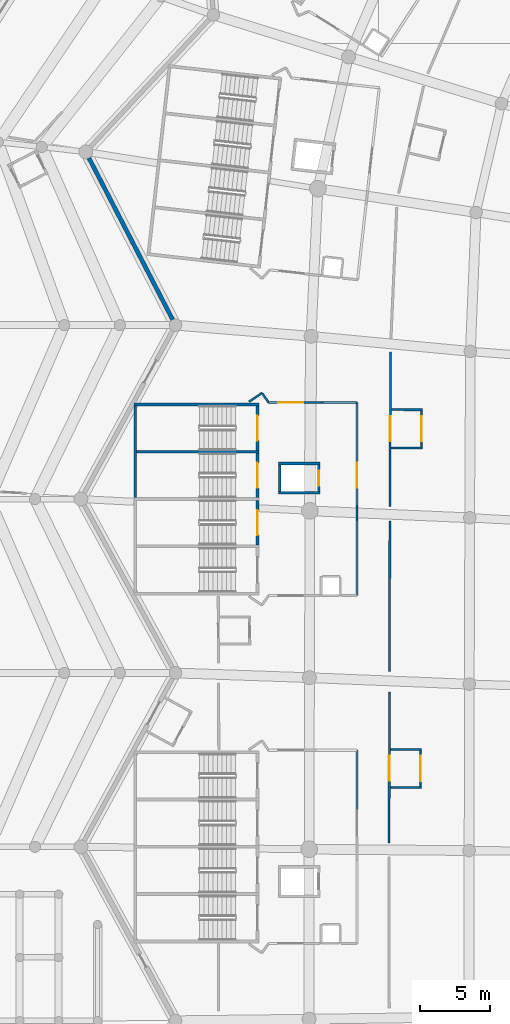
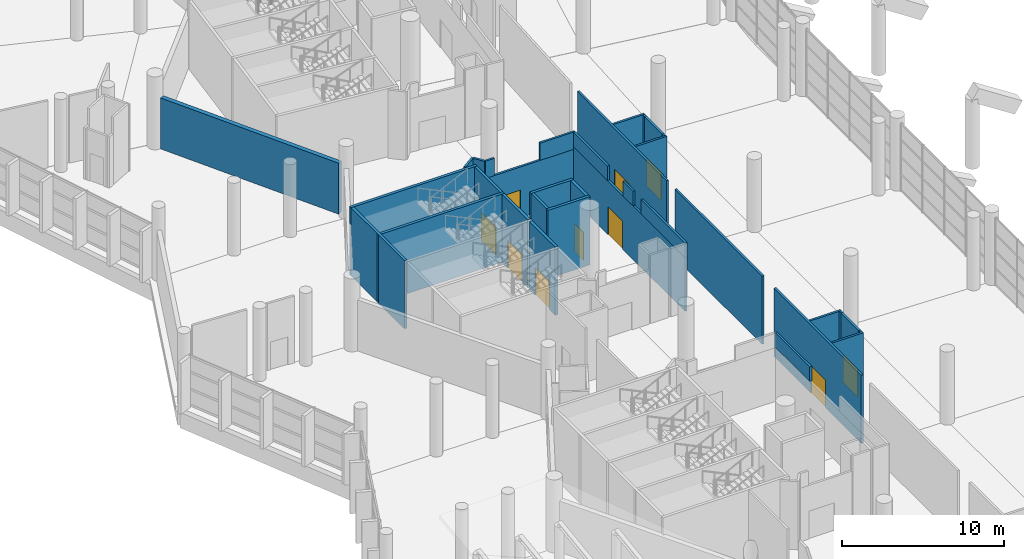
# One storey, part 181 of 271: 34 walls, 10 doors, 10 openings.
"""IFC4 building model written with IfcOpenShell, lengths in metres."""

from ifc_helpers import new_model, si_unit, direction, frame, frame_2d, origin, place, context, subcontext, project, spatial, rectangle, extrude, material, layer, layer_set, type_object, element, fill, save


model = new_model("IFC4")

# Units and contexts
model_context = context("Model", 3, precision=1e-05, world=origin(), true_north=direction((0.0, 1.0)))
body_context = subcontext(model_context, "Body", "Model", "MODEL_VIEW")
ifc_project = project(units=[si_unit("LENGTHUNIT", "METRE"), si_unit("AREAUNIT", "SQUARE_METRE"), si_unit("VOLUMEUNIT", "CUBIC_METRE"), si_unit("PLANEANGLEUNIT", "RADIAN"), si_unit("MASSUNIT", "GRAM", prefix="KILO")], contexts=[model_context])

# Site, building, storey
site_placement = place(None, origin())
site = spatial("IfcSite", under=ifc_project, at=site_placement, CompositionType="ELEMENT")
building_placement = place(site_placement, origin())
building = spatial("IfcBuilding", under=site, at=building_placement, Name="Meseta Stadium", CompositionType="ELEMENT")
storey_placement = place(building_placement, frame((0.0, 0.0, 6.5)))
storey = spatial("IfcBuildingStorey", under=building, at=storey_placement, Name="L01", CompositionType="ELEMENT", Elevation=6.5)

# Walls
ifc_material_1 = material(Name="Concrete C40/50", Category="concrete")
ifc_layer_1 = layer(ifc_material_1, 0.199951171875)
ifc_layer_set_1 = layer_set([ifc_layer_1], Name="Core divider wall 200")
wall_type_1 = type_object("IfcWallType", Name="Core divider wall 200", PredefinedType="SHEAR", material=ifc_layer_set_1)
wall_1_placement = place(storey_placement, frame((-97.60009765625, 34.64990234375, 0.0), z_axis=(0.0, 0.0, 1.0), x_axis=(1.0, 0.0, 0.0)))
element("IfcWall", 1, at=wall_1_placement, inside=storey, type_object=wall_type_1, Name="Core 16 L01 stair A divider wall", PredefinedType="SHEAR", context=body_context, shape_type="SweptSolid", body=[
    extrude(rectangle(XDim=9.0, YDim=0.199951171875, at=frame_2d((4.5, 0.0))), origin(), (0.0, 0.0, 1.0), 5.14990234375),
])
ifc_material_2 = material(Name="Concrete C40/50", Category="concrete")
ifc_layer_2 = layer(ifc_material_2, 0.199951171875)
ifc_layer_set_2 = layer_set([ifc_layer_2], Name="Core shaft wall 200")
wall_type_2 = type_object("IfcWallType", Name="Core shaft wall 200", PredefinedType="SHEAR", material=ifc_layer_set_2)
wall_2_placement = place(storey_placement, frame((-97.60009765625, 38.050048828125, 0.0), z_axis=(0.0, 0.0, 1.0), x_axis=(1.0, 0.0, 0.0)))
element("IfcWall", 2, at=wall_2_placement, inside=storey, type_object=wall_type_2, Name="Core 16 L01 stair wall A-side", PredefinedType="SHEAR", context=body_context, shape_type="SweptSolid", body=[
    extrude(rectangle(XDim=9.0, YDim=0.199951171875, at=frame_2d((4.5, 0.0))), origin(), (0.0, 0.0, 1.0), 5.14990234375),
])
wall_3_placement = place(storey_placement, frame((-97.5, 37.949951171875, 0.0), z_axis=(0.0, 0.0, 1.0), x_axis=(0.0, -1.0, 0.0)))
element("IfcWall", 3, at=wall_3_placement, inside=storey, type_object=wall_type_2, Name="Core 16 L01 stair A outer end wall", PredefinedType="SHEAR", context=body_context, shape_type="SweptSolid", body=[
    extrude(rectangle(XDim=6.599853515625, YDim=0.199951171875, at=frame_2d((3.2998046875, 0.0))), origin(), (0.0, 0.0, 1.0), 5.14990234375),
])

# Wall, opening, door
wall_4_placement = place(storey_placement, frame((-88.699951171875, 37.949951171875, 0.0), z_axis=(0.0, 0.0, 1.0), x_axis=(0.0, -1.0, 0.0)))
wall_4 = element("IfcWall", 4, at=wall_4_placement, inside=storey, type_object=wall_type_2, Name="Core 16 L01 stair A1 inner end wall", PredefinedType="SHEAR", context=body_context, shape_type="SweptSolid", body=[
    extrude(rectangle(XDim=3.199951171875, YDim=0.199951171875, at=frame_2d((1.60009765625, 0.0))), origin(), (0.0, 0.0, 1.0), 5.14990234375),
])
opening_1_placement = place(wall_4_placement, frame((0.699951171875, 0.0, 0.0)))
opening_1 = element("IfcOpeningElement", 5, at=opening_1_placement, cuts=wall_4, Name="Opening D219", PredefinedType="OPENING", context=body_context, shape_type="SweptSolid", body=[
    extrude(rectangle(XDim=1.800048828125, YDim=2.10009765625, at=frame_2d((0.89990234375, 1.050048828125))), frame((0.0, 0.10986328125, 0.0), z_axis=(0.0, -1.0, 0.0), x_axis=(1.0, 0.0, 0.0)), (0.0, 0.0, 1.0), 0.219970703125),
])
ifc_material_3 = material(Name="Steel", Category="steel")
door_type_1 = type_object("IfcDoorType", Name="Stair door 1800x2100", OperationType="DOUBLE_DOOR_SINGLE_SWING", PredefinedType="DOOR", material=ifc_material_3)
door_1_placement = place(opening_1_placement, origin())
door_1 = element("IfcDoor", 6, at=door_1_placement, inside=storey, type_object=door_type_1, Name="Stair A1 door 16 L01", OperationType="DOUBLE_DOOR_SINGLE_SWING", OverallHeight=2.10009765625, OverallWidth=1.800048828125, PredefinedType="DOOR", context=body_context, shape_type="SweptSolid", body=[
    extrude(rectangle(XDim=1.800048828125, YDim=2.10009765625, at=frame_2d((0.89990234375, 1.050048828125))), frame((0.0, 0.02490234375, 0.0), z_axis=(0.0, -1.0, 0.0), x_axis=(1.0, 0.0, 0.0)), (0.0, 0.0, 1.0), 0.050048828125),
])
fill(opening_1, door_1)

wall_5_placement = place(storey_placement, frame((-88.699951171875, 34.550048828125, 0.0), z_axis=(0.0, 0.0, 1.0), x_axis=(0.0, -1.0, 0.0)))
wall_5 = element("IfcWall", 7, at=wall_5_placement, inside=storey, type_object=wall_type_2, Name="Core 16 L01 stair A2 inner end wall", PredefinedType="SHEAR", context=body_context, shape_type="SweptSolid", body=[
    extrude(rectangle(XDim=3.199951171875, YDim=0.199951171875, at=frame_2d((1.60009765625, 0.0))), origin(), (0.0, 0.0, 1.0), 5.14990234375),
])
opening_2_placement = place(wall_5_placement, frame((0.699951171875, 0.0, 0.0)))
opening_2 = element("IfcOpeningElement", 8, at=opening_2_placement, cuts=wall_5, Name="Opening D220", PredefinedType="OPENING", context=body_context, shape_type="SweptSolid", body=[
    extrude(rectangle(XDim=1.800048828125, YDim=2.10009765625, at=frame_2d((0.89990234375, 1.050048828125))), frame((0.0, 0.10986328125, 0.0), z_axis=(0.0, -1.0, 0.0), x_axis=(1.0, 0.0, 0.0)), (0.0, 0.0, 1.0), 0.219970703125),
])
door_2_placement = place(opening_2_placement, origin())
door_2 = element("IfcDoor", 9, at=door_2_placement, inside=storey, type_object=door_type_1, Name="Stair A2 door 16 L01", OperationType="DOUBLE_DOOR_SINGLE_SWING", OverallHeight=2.10009765625, OverallWidth=1.800048828125, PredefinedType="DOOR", context=body_context, shape_type="SweptSolid", body=[
    extrude(rectangle(XDim=1.800048828125, YDim=2.10009765625, at=frame_2d((0.89990234375, 1.050048828125))), frame((0.0, 0.02490234375, 0.0), z_axis=(0.0, -1.0, 0.0), x_axis=(1.0, 0.0, 0.0)), (0.0, 0.0, 1.0), 0.050048828125),
])
fill(opening_2, door_2)

wall_6_placement = place(storey_placement, frame((-88.699951171875, 31.14990234375, 0.0), z_axis=(0.0, 0.0, 1.0), x_axis=(0.0, -1.0, 0.0)))
wall_6 = element("IfcWall", 10, at=wall_6_placement, inside=storey, type_object=wall_type_2, Name="Core 16 L01 stair B1 inner end wall", PredefinedType="SHEAR", context=body_context, shape_type="SweptSolid", body=[
    extrude(rectangle(XDim=3.199951171875, YDim=0.199951171875, at=frame_2d((1.60009765625, 0.0))), origin(), (0.0, 0.0, 1.0), 5.14990234375),
])
opening_3_placement = place(wall_6_placement, frame((0.699951171875, 0.0, 0.0)))
opening_3 = element("IfcOpeningElement", 11, at=opening_3_placement, cuts=wall_6, Name="Opening D221", PredefinedType="OPENING", context=body_context, shape_type="SweptSolid", body=[
    extrude(rectangle(XDim=1.800048828125, YDim=2.10009765625, at=frame_2d((0.89990234375, 1.050048828125))), frame((0.0, 0.10986328125, 0.0), z_axis=(0.0, -1.0, 0.0), x_axis=(1.0, 0.0, 0.0)), (0.0, 0.0, 1.0), 0.219970703125),
])
door_3_placement = place(opening_3_placement, origin())
door_3 = element("IfcDoor", 12, at=door_3_placement, inside=storey, type_object=door_type_1, Name="Stair B1 door 16 L01", OperationType="DOUBLE_DOOR_SINGLE_SWING", OverallHeight=2.10009765625, OverallWidth=1.800048828125, PredefinedType="DOOR", context=body_context, shape_type="SweptSolid", body=[
    extrude(rectangle(XDim=1.800048828125, YDim=2.10009765625, at=frame_2d((0.89990234375, 1.050048828125))), frame((0.0, 0.02490234375, 0.0), z_axis=(0.0, -1.0, 0.0), x_axis=(1.0, 0.0, 0.0)), (0.0, 0.0, 1.0), 0.050048828125),
])
fill(opening_3, door_3)

# Walls
for number, where, z_axis, x_axis, name in (
    (13, (-87.199951171875, 33.800048828125, 0.0), (0.0, 0.0, 1.0), (1.0, 0.0, 0.0), "Core 16 L01 lift shaft wall left"),
    (14, (-87.199951171875, 31.699951171875, 0.0), (0.0, 0.0, 1.0), (1.0, 0.0, 0.0), "Core 16 L01 lift shaft wall right"),
):
    element("IfcWall", number, at=place(storey_placement, frame(where, z_axis=z_axis, x_axis=x_axis)), inside=storey, type_object=wall_type_2, Name=name, PredefinedType="SHEAR", context=body_context, shape_type="SweptSolid", body=[
        extrude(rectangle(XDim=3.0, YDim=0.199951171875, at=frame_2d((1.5, 0.0))), origin(), (0.0, 0.0, 1.0), 5.14990234375),
    ])
wall_7_placement = place(storey_placement, frame((-87.10009765625, 33.699951171875, 0.0), z_axis=(0.0, 0.0, 1.0), x_axis=(0.0, -1.0, 0.0)))
element("IfcWall", 15, at=wall_7_placement, inside=storey, type_object=wall_type_2, Name="Core 16 L01 lift shaft back wall", PredefinedType="SHEAR", context=body_context, shape_type="SweptSolid", body=[
    extrude(rectangle(XDim=1.89990234375, YDim=0.199951171875, at=frame_2d((0.949951171875, 0.0))), origin(), (0.0, 0.0, 1.0), 5.14990234375),
])

# Wall, opening, door
wall_8_placement = place(storey_placement, frame((-84.300048828125, 33.699951171875, 0.0), z_axis=(0.0, 0.0, 1.0), x_axis=(0.0, -1.0, 0.0)))
wall_8 = element("IfcWall", 16, at=wall_8_placement, inside=storey, type_object=wall_type_2, Name="Core 16 L01 lift shaft front wall", PredefinedType="SHEAR", context=body_context, shape_type="SweptSolid", body=[
    extrude(rectangle(XDim=1.89990234375, YDim=0.199951171875, at=frame_2d((0.949951171875, 0.0))), origin(), (0.0, 0.0, 1.0), 5.14990234375),
])
opening_4_placement = place(wall_8_placement, frame((0.39990234375, 0.0, 0.0)))
opening_4 = element("IfcOpeningElement", 17, at=opening_4_placement, cuts=wall_8, Name="Opening LD87", PredefinedType="OPENING", context=body_context, shape_type="SweptSolid", body=[
    extrude(rectangle(XDim=1.10009765625, YDim=2.10009765625, at=frame_2d((0.550048828125, 1.050048828125))), frame((0.0, 0.10986328125, 0.0), z_axis=(0.0, -1.0, 0.0), x_axis=(1.0, 0.0, 0.0)), (0.0, 0.0, 1.0), 0.219970703125),
])
ifc_material_4 = material(Name="Steel", Category="steel")
door_type_2 = type_object("IfcDoorType", Name="Lift landing door 1100x2100", OperationType="SLIDING_TO_LEFT", PredefinedType="DOOR", material=ifc_material_4)
door_4_placement = place(opening_4_placement, origin())
door_4 = element("IfcDoor", 18, at=door_4_placement, inside=storey, type_object=door_type_2, Name="Lift landing door LD87", OperationType="SLIDING_TO_LEFT", OverallHeight=2.10009765625, OverallWidth=1.10009765625, PredefinedType="DOOR", context=body_context, shape_type="SweptSolid", body=[
    extrude(rectangle(XDim=1.10009765625, YDim=2.10009765625, at=frame_2d((0.550048828125, 1.050048828125))), frame((0.0, 0.02490234375, 0.0), z_axis=(0.0, -1.0, 0.0), x_axis=(1.0, 0.0, 0.0)), (0.0, 0.0, 1.0), 0.050048828125),
])
fill(opening_4, door_4)

ifc_material_5 = material(Name="Masonry blockwork", Category="masonry")
ifc_layer_3 = layer(ifc_material_5, 0.14990234375)
ifc_layer_set_3 = layer_set([ifc_layer_3], Name="Partition 150")
wall_type_3 = type_object("IfcWallType", Name="Partition 150", PredefinedType="PARTITIONING", material=ifc_layer_set_3)
wall_9_placement = place(storey_placement, frame((-79.1904296875, 30.7021484375, 0.0), z_axis=(0.0, 0.0, 1.0), x_axis=(0.004546006523, 0.999989666859, 0.0)))
wall_9 = element("IfcWall", 19, at=wall_9_placement, inside=storey, type_object=wall_type_3, Name="Partition L01 L01-cell14-0-0", PredefinedType="PARTITIONING", context=body_context, shape_type="SweptSolid", body=[
    extrude(rectangle(XDim=11.11669921875, YDim=0.14990234375, at=frame_2d((5.558349609375, 0.0))), origin(), (0.0, 0.0, 1.0), 5.14990234375),
])
opening_5_placement = place(wall_9_placement, frame((4.699951171875, 0.0, 0.0)))
opening_5 = element("IfcOpeningElement", 20, at=opening_5_placement, cuts=wall_9, Name="Opening D659", PredefinedType="OPENING", context=body_context, shape_type="SweptSolid", body=[
    extrude(rectangle(XDim=1.800048828125, YDim=2.10009765625, at=frame_2d((0.89990234375, 1.050048828125))), frame((0.0, 0.0849609375, 0.0), z_axis=(0.0, -1.0, 0.0), x_axis=(1.0, 0.0, 0.0)), (0.0, 0.0, 1.0), 0.169921875),
])
ifc_material_6 = material(Name="Steel", Category="steel")
door_type_3 = type_object("IfcDoorType", Name="Fire double door 1800x2100 EI2 60", OperationType="DOUBLE_DOOR_SINGLE_SWING", PredefinedType="DOOR", material=ifc_material_6)
door_5_placement = place(opening_5_placement, origin())
door_5 = element("IfcDoor", 21, at=door_5_placement, inside=storey, type_object=door_type_3, Name="Door D659", OperationType="DOUBLE_DOOR_SINGLE_SWING", OverallHeight=2.10009765625, OverallWidth=1.800048828125, PredefinedType="DOOR", context=body_context, shape_type="SweptSolid", body=[
    extrude(rectangle(XDim=1.800048828125, YDim=2.10009765625, at=frame_2d((0.89990234375, 1.050048828125))), frame((0.0, 0.02490234375, 0.0), z_axis=(0.0, -1.0, 0.0), x_axis=(1.0, 0.0, 0.0)), (0.0, 0.0, 1.0), 0.050048828125),
])
fill(opening_5, door_5)

wall_10_placement = place(storey_placement, frame((-79.24658203125, 6.53662109375, 0.0), z_axis=(0.0, 0.0, 1.0), x_axis=(0.002276512155, 0.999997408743, 0.0)))
wall_10 = element("IfcWall", 22, at=wall_10_placement, inside=storey, type_object=wall_type_3, Name="Partition L01 L01-cell15-0-0", PredefinedType="PARTITIONING", context=body_context, shape_type="SweptSolid", body=[
    extrude(rectangle(XDim=10.83154296875, YDim=0.14990234375, at=frame_2d((5.415771484375, 0.0))), origin(), (0.0, 0.0, 1.0), 5.14990234375),
])
opening_6_placement = place(wall_10_placement, frame((4.449951171875, 0.0, 0.0)))
opening_6 = element("IfcOpeningElement", 23, at=opening_6_placement, cuts=wall_10, Name="Opening D660", PredefinedType="OPENING", context=body_context, shape_type="SweptSolid", body=[
    extrude(rectangle(XDim=1.800048828125, YDim=2.10009765625, at=frame_2d((0.89990234375, 1.050048828125))), frame((0.0, 0.0849609375, 0.0), z_axis=(0.0, -1.0, 0.0), x_axis=(1.0, 0.0, 0.0)), (0.0, 0.0, 1.0), 0.169921875),
])
door_6_placement = place(opening_6_placement, origin())
door_6 = element("IfcDoor", 24, at=door_6_placement, inside=storey, type_object=door_type_3, Name="Door D660", OperationType="DOUBLE_DOOR_SINGLE_SWING", OverallHeight=2.10009765625, OverallWidth=1.800048828125, PredefinedType="DOOR", context=body_context, shape_type="SweptSolid", body=[
    extrude(rectangle(XDim=1.800048828125, YDim=2.10009765625, at=frame_2d((0.89990234375, 1.050048828125))), frame((0.0, 0.02490234375, 0.0), z_axis=(0.0, -1.0, 0.0), x_axis=(1.0, 0.0, 0.0)), (0.0, 0.0, 1.0), 0.050048828125),
])
fill(opening_6, door_6)

# Wall
wall_11_placement = place(storey_placement, frame((-79.218505859375, 18.84521484375, 0.0), z_axis=(0.0, 0.0, 1.0), x_axis=(0.002254023351, 0.999997459686, 0.0)))
element("IfcWall", 25, at=wall_11_placement, inside=storey, type_object=wall_type_3, Name="Partition L01 L01-cell15-0-0", PredefinedType="PARTITIONING", context=body_context, shape_type="SweptSolid", body=[
    extrude(rectangle(XDim=10.831298828125, YDim=0.14990234375, at=frame_2d((5.41552734375, 0.0))), origin(), (0.0, 0.0, 1.0), 5.14990234375),
])

# Wall, opening, door
wall_12_placement = place(storey_placement, frame((-81.554931640625, 24.304931640625, 0.0), z_axis=(0.0, 0.0, 1.0), x_axis=(0.0, 1.0, 0.0)))
wall_12 = element("IfcWall", 26, at=wall_12_placement, inside=storey, type_object=wall_type_3, Name="Stair vestibule wall L01 core 16", PredefinedType="PARTITIONING", context=body_context, shape_type="SweptSolid", body=[
    extrude(rectangle(XDim=13.89013671875, YDim=0.14990234375, at=frame_2d((6.945068359375, 0.0))), origin(), (0.0, 0.0, 1.0), 4.050048828125),
])
opening_7_placement = place(wall_12_placement, frame((7.75, 0.0, 0.0)))
opening_7 = element("IfcOpeningElement", 27, at=opening_7_placement, cuts=wall_12, Name="Opening D782", PredefinedType="OPENING", context=body_context, shape_type="SweptSolid", body=[
    extrude(rectangle(XDim=1.800048828125, YDim=2.10009765625, at=frame_2d((0.89990234375, 1.050048828125))), frame((0.0, 0.0849609375, 0.0), z_axis=(0.0, -1.0, 0.0), x_axis=(1.0, 0.0, 0.0)), (0.0, 0.0, 1.0), 0.169921875),
])
door_7_placement = place(opening_7_placement, origin())
door_7 = element("IfcDoor", 28, at=door_7_placement, inside=storey, type_object=door_type_3, Name="Stair vestibule door L01 core 16", OperationType="DOUBLE_DOOR_SINGLE_SWING", OverallHeight=2.10009765625, OverallWidth=1.800048828125, PredefinedType="DOOR", context=body_context, shape_type="SweptSolid", body=[
    extrude(rectangle(XDim=1.800048828125, YDim=2.10009765625, at=frame_2d((0.89990234375, 1.050048828125))), frame((0.0, 0.02490234375, 0.0), z_axis=(0.0, -1.0, 0.0), x_axis=(1.0, 0.0, 0.0)), (0.0, 0.0, 1.0), 0.050048828125),
])
fill(opening_7, door_7)

# Walls
wall_13_placement = place(storey_placement, frame((-81.554931640625, 24.304931640625, 4.050048828125), z_axis=(0.0, 0.0, 1.0), x_axis=(0.0, 1.0, 0.0)))
element("IfcWall", 29, at=wall_13_placement, inside=storey, type_object=wall_type_3, Name="Stair vestibule wall L01 core 16", PredefinedType="PARTITIONING", context=body_context, shape_type="SweptSolid", body=[
    extrude(rectangle(XDim=5.456787109375, YDim=0.14990234375, at=frame_2d((2.728515625, 0.0))), origin(), (0.0, 0.0, 1.0), 1.099853515625),
])
wall_14_placement = place(storey_placement, frame((-81.554931640625, 30.75390625, 4.050048828125), z_axis=(0.0, 0.0, 1.0), x_axis=(0.0, 1.0, 0.0)))
element("IfcWall", 30, at=wall_14_placement, inside=storey, type_object=wall_type_3, Name="Stair vestibule wall L01 core 16", PredefinedType="PARTITIONING", context=body_context, shape_type="SweptSolid", body=[
    extrude(rectangle(XDim=1.2509765625, YDim=0.14990234375, at=frame_2d((0.62548828125, 0.0))), origin(), (0.0, 0.0, 1.0), 1.099853515625),
])

# Wall, opening, door
wall_15_placement = place(storey_placement, frame((-81.554931640625, 38.195068359375, 0.0), z_axis=(0.0, 0.0, 1.0), x_axis=(-1.0, 0.0, 0.0)))
wall_15 = element("IfcWall", 31, at=wall_15_placement, inside=storey, type_object=wall_type_3, Name="Stair vestibule wall L01 core 16", PredefinedType="PARTITIONING", context=body_context, shape_type="SweptSolid", body=[
    extrude(rectangle(XDim=6.354248046875, YDim=0.14990234375, at=frame_2d((3.17724609375, 0.0))), origin(), (0.0, 0.0, 1.0), 3.85009765625),
])
opening_8_placement = place(wall_15_placement, frame((3.85009765625, 0.0, 0.0)))
opening_8 = element("IfcOpeningElement", 32, at=opening_8_placement, cuts=wall_15, Name="Opening D784", PredefinedType="OPENING", context=body_context, shape_type="SweptSolid", body=[
    extrude(rectangle(XDim=1.800048828125, YDim=2.10009765625, at=frame_2d((0.89990234375, 1.050048828125))), frame((0.0, 0.0849609375, 0.0), z_axis=(0.0, -1.0, 0.0), x_axis=(1.0, 0.0, 0.0)), (0.0, 0.0, 1.0), 0.169921875),
])
door_8_placement = place(opening_8_placement, origin())
door_8 = element("IfcDoor", 33, at=door_8_placement, inside=storey, type_object=door_type_3, Name="Stair vestibule door L01 core 16", OperationType="DOUBLE_DOOR_SINGLE_SWING", OverallHeight=2.10009765625, OverallWidth=1.800048828125, PredefinedType="DOOR", context=body_context, shape_type="SweptSolid", body=[
    extrude(rectangle(XDim=1.800048828125, YDim=2.10009765625, at=frame_2d((0.89990234375, 1.050048828125))), frame((0.0, 0.02490234375, 0.0), z_axis=(0.0, -1.0, 0.0), x_axis=(1.0, 0.0, 0.0)), (0.0, 0.0, 1.0), 0.050048828125),
])
fill(opening_8, door_8)

# Walls
wall_16_placement = place(storey_placement, frame((-81.554931640625, 38.195068359375, 3.85009765625), z_axis=(0.0, 0.0, 1.0), x_axis=(-1.0, 0.0, 0.0)))
element("IfcWall", 34, at=wall_16_placement, inside=storey, type_object=wall_type_3, Name="Stair vestibule wall L01 core 16", PredefinedType="PARTITIONING", context=body_context, shape_type="SweptSolid", body=[
    extrude(rectangle(XDim=2.444091796875, YDim=0.14990234375, at=frame_2d((1.22216796875, 0.0))), origin(), (0.0, 0.0, 1.0), 1.2998046875),
])
wall_17_placement = place(storey_placement, frame((-87.2548828125, 38.195068359375, 3.85009765625), z_axis=(0.0, 0.0, 1.0), x_axis=(-1.0, 0.0, 0.0)))
element("IfcWall", 35, at=wall_17_placement, inside=storey, type_object=wall_type_3, Name="Stair vestibule wall L01 core 16", PredefinedType="PARTITIONING", context=body_context, shape_type="SweptSolid", body=[
    extrude(rectangle(XDim=0.654296875, YDim=0.14990234375, at=frame_2d((0.3271484375, 0.0))), origin(), (0.0, 0.0, 1.0), 1.2998046875),
])
wall_18_placement = place(storey_placement, frame((-87.9091796875, 38.195068359375, 0.0), z_axis=(0.0, 0.0, 1.0), x_axis=(-0.575573582652, 0.81774999294, 0.0)))
element("IfcWall", 36, at=wall_18_placement, inside=storey, type_object=wall_type_3, Name="Stair vestibule wall L01 core 16", PredefinedType="PARTITIONING", context=body_context, shape_type="SweptSolid", body=[
    extrude(rectangle(XDim=0.82958984375, YDim=0.14990234375, at=frame_2d((0.414794921875, 0.0))), origin(), (0.0, 0.0, 1.0), 5.14990234375),
])
wall_19_placement = place(storey_placement, frame((-88.38671875, 38.87353515625, 0.0), z_axis=(0.0, 0.0, 1.0), x_axis=(-0.827055308354, -0.562120553728, 0.0)))
element("IfcWall", 37, at=wall_19_placement, inside=storey, type_object=wall_type_3, Name="Stair vestibule wall L01 core 16", PredefinedType="PARTITIONING", context=body_context, shape_type="SweptSolid", body=[
    extrude(rectangle(XDim=1.1279296875, YDim=0.14990234375, at=frame_2d((0.56396484375, 0.0))), origin(), (0.0, 0.0, 1.0), 5.14990234375),
])
wall_20_placement = place(storey_placement, frame((-81.554931640625, 8.905029296875, 4.050048828125), z_axis=(0.0, 0.0, 1.0), x_axis=(0.0, 1.0, 0.0)))
element("IfcWall", 38, at=wall_20_placement, inside=storey, type_object=wall_type_3, Name="Stair vestibule wall L01 core 17", PredefinedType="PARTITIONING", context=body_context, shape_type="SweptSolid", body=[
    extrude(rectangle(XDim=4.2900390625, YDim=0.14990234375, at=frame_2d((2.14501953125, 0.0))), origin(), (0.0, 0.0, 1.0), 1.099853515625),
])
for number, where, z_axis, x_axis, name in (
    (39, (-79.09619140625, 34.9267578125, 0.0), (0.0, 0.0, 1.0), (0.999989615708, -0.004557244342, 0.0), "Partition L01 L01-cell14-0-0 vestibule"),
    (40, (-79.083740234375, 37.6767578125, 0.0), (0.0, 0.0, 1.0), (0.999989615708, -0.004557244342, 0.0), "Partition L01 L01-cell14-0-0 vestibule"),
):
    element("IfcWall", number, at=place(storey_placement, frame(where, z_axis=z_axis, x_axis=x_axis)), inside=storey, type_object=wall_type_3, Name=name, PredefinedType="PARTITIONING", context=body_context, shape_type="SweptSolid", body=[
        extrude(rectangle(XDim=2.25, YDim=0.14990234375, at=frame_2d((1.125, 0.0))), origin(), (0.0, 0.0, 1.0), 5.14990234375),
    ])
wall_21_placement = place(storey_placement, frame((-76.9208984375, 34.991943359375, 0.0), z_axis=(0.0, 0.0, 1.0), x_axis=(0.003662979089, 0.99999329127, 0.0)))
element("IfcWall", 41, at=wall_21_placement, inside=storey, type_object=wall_type_3, Name="Partition L01 L01-cell14-0-0 vestibule", PredefinedType="PARTITIONING", context=body_context, shape_type="SweptSolid", body=[
    extrude(rectangle(XDim=0.199951171875, YDim=0.14990234375, at=frame_2d((0.10009765625, 0.0))), origin(), (0.0, 0.0, 1.0), 5.14990234375),
])

# Wall, opening, door
wall_22_placement = place(storey_placement, frame((-76.920166015625, 35.19189453125, 0.0), z_axis=(0.0, 0.0, 1.0), x_axis=(0.004549947354, 0.999989648936, 0.0)))
wall_22 = element("IfcWall", 42, at=wall_22_placement, inside=storey, type_object=wall_type_3, Name="Partition L01 L01-cell14-0-0 vestibule", PredefinedType="PARTITIONING", context=body_context, shape_type="SweptSolid", body=[
    extrude(rectangle(XDim=2.199951171875, YDim=0.14990234375, at=frame_2d((1.10009765625, 0.0))), origin(), (0.0, 0.0, 1.0), 5.14990234375),
])
opening_9_placement = place(wall_22_placement, frame((0.199951171875, 0.0, 0.0)))
opening_9 = element("IfcOpeningElement", 43, at=opening_9_placement, cuts=wall_22, Name="Opening D903", PredefinedType="OPENING", context=body_context, shape_type="SweptSolid", body=[
    extrude(rectangle(XDim=1.800048828125, YDim=2.10009765625, at=frame_2d((0.89990234375, 1.050048828125))), frame((0.0, 0.0849609375, 0.0), z_axis=(0.0, -1.0, 0.0), x_axis=(1.0, 0.0, 0.0)), (0.0, 0.0, 1.0), 0.169921875),
])
door_9_placement = place(opening_9_placement, origin())
door_9 = element("IfcDoor", 44, at=door_9_placement, inside=storey, type_object=door_type_3, Name="Vestibule door L01 L01-cell14-0-0", OperationType="DOUBLE_DOOR_SINGLE_SWING", OverallHeight=2.10009765625, OverallWidth=1.800048828125, PredefinedType="DOOR", context=body_context, shape_type="SweptSolid", body=[
    extrude(rectangle(XDim=1.800048828125, YDim=2.10009765625, at=frame_2d((0.89990234375, 1.050048828125))), frame((0.0, 0.02490234375, 0.0), z_axis=(0.0, -1.0, 0.0), x_axis=(1.0, 0.0, 0.0)), (0.0, 0.0, 1.0), 0.050048828125),
])
fill(opening_9, door_9)

# Walls
wall_23_placement = place(storey_placement, frame((-76.91015625, 37.391845703125, 0.0), z_axis=(0.0, 0.0, 1.0), x_axis=(0.004883946635, 0.999988073462, 0.0)))
element("IfcWall", 45, at=wall_23_placement, inside=storey, type_object=wall_type_3, Name="Partition L01 L01-cell14-0-0 vestibule", PredefinedType="PARTITIONING", context=body_context, shape_type="SweptSolid", body=[
    extrude(rectangle(XDim=0.199951171875, YDim=0.14990234375, at=frame_2d((0.10009765625, 0.0))), origin(), (0.0, 0.0, 1.0), 5.14990234375),
])
for number, where, z_axis, x_axis, name in (
    (46, (-79.16259765625, 10.511474609375, 0.0), (0.0, 0.0, 1.0), (0.999997403897, -0.002278639918, 0.0), "Partition L01 L01-cell15-0-0 vestibule"),
    (47, (-79.156494140625, 13.261474609375, 0.0), (0.0, 0.0, 1.0), (0.999997403897, -0.002278639918, 0.0), "Partition L01 L01-cell15-0-0 vestibule"),
):
    element("IfcWall", number, at=place(storey_placement, frame(where, z_axis=z_axis, x_axis=x_axis)), inside=storey, type_object=wall_type_3, Name=name, PredefinedType="PARTITIONING", context=body_context, shape_type="SweptSolid", body=[
        extrude(rectangle(XDim=2.25, YDim=0.14990234375, at=frame_2d((1.125, 0.0))), origin(), (0.0, 0.0, 1.0), 5.14990234375),
    ])
wall_24_placement = place(storey_placement, frame((-76.987548828125, 10.58154296875, 0.0), z_axis=(0.0, 0.0, 1.0), x_axis=(0.002441995161, 0.999997018325, 0.0)))
element("IfcWall", 48, at=wall_24_placement, inside=storey, type_object=wall_type_3, Name="Partition L01 L01-cell15-0-0 vestibule", PredefinedType="PARTITIONING", context=body_context, shape_type="SweptSolid", body=[
    extrude(rectangle(XDim=0.199951171875, YDim=0.14990234375, at=frame_2d((0.10009765625, 0.0))), origin(), (0.0, 0.0, 1.0), 5.14990234375),
])

# Wall, opening, door
wall_25_placement = place(storey_placement, frame((-76.987060546875, 10.781494140625, 0.0), z_axis=(0.0, 0.0, 1.0), x_axis=(0.002330220038, 0.999997285034, 0.0)))
wall_25 = element("IfcWall", 49, at=wall_25_placement, inside=storey, type_object=wall_type_3, Name="Partition L01 L01-cell15-0-0 vestibule", PredefinedType="PARTITIONING", context=body_context, shape_type="SweptSolid", body=[
    extrude(rectangle(XDim=2.2001953125, YDim=0.14990234375, at=frame_2d((1.10009765625, 0.0))), origin(), (0.0, 0.0, 1.0), 5.14990234375),
])
opening_10_placement = place(wall_25_placement, frame((0.199951171875, 0.0, 0.0)))
opening_10 = element("IfcOpeningElement", 50, at=opening_10_placement, cuts=wall_25, Name="Opening D904", PredefinedType="OPENING", context=body_context, shape_type="SweptSolid", body=[
    extrude(rectangle(XDim=1.800048828125, YDim=2.10009765625, at=frame_2d((0.89990234375, 1.050048828125))), frame((0.0, 0.0849609375, 0.0), z_axis=(0.0, -1.0, 0.0), x_axis=(1.0, 0.0, 0.0)), (0.0, 0.0, 1.0), 0.169921875),
])
door_10_placement = place(opening_10_placement, origin())
door_10 = element("IfcDoor", 51, at=door_10_placement, inside=storey, type_object=door_type_3, Name="Vestibule door L01 L01-cell15-0-0", OperationType="DOUBLE_DOOR_SINGLE_SWING", OverallHeight=2.10009765625, OverallWidth=1.800048828125, PredefinedType="DOOR", context=body_context, shape_type="SweptSolid", body=[
    extrude(rectangle(XDim=1.800048828125, YDim=2.10009765625, at=frame_2d((0.89990234375, 1.050048828125))), frame((0.0, 0.02490234375, 0.0), z_axis=(0.0, -1.0, 0.0), x_axis=(1.0, 0.0, 0.0)), (0.0, 0.0, 1.0), 0.050048828125),
])
fill(opening_10, door_10)

# Walls
wall_26_placement = place(storey_placement, frame((-76.98193359375, 12.981689453125, 0.0), z_axis=(0.0, 0.0, 1.0), x_axis=(0.002441995161, 0.999997018325, 0.0)))
element("IfcWall", 52, at=wall_26_placement, inside=storey, type_object=wall_type_3, Name="Partition L01 L01-cell15-0-0 vestibule", PredefinedType="PARTITIONING", context=body_context, shape_type="SweptSolid", body=[
    extrude(rectangle(XDim=0.199951171875, YDim=0.14990234375, at=frame_2d((0.10009765625, 0.0))), origin(), (0.0, 0.0, 1.0), 5.14990234375),
])
wall_27_placement = place(storey_placement, frame((-81.554931640625, 33.905029296875, 4.050048828125), z_axis=(0.0, 0.0, 1.0), x_axis=(0.0, 1.0, 0.0)))
element("IfcWall", 53, at=wall_27_placement, inside=storey, type_object=wall_type_3, Name="Stair vestibule wall L01 core 16", PredefinedType="PARTITIONING", context=body_context, shape_type="SweptSolid", body=[
    extrude(rectangle(XDim=4.2900390625, YDim=0.14990234375, at=frame_2d((2.14501953125, 0.0))), origin(), (0.0, 0.0, 1.0), 1.099853515625),
])
ifc_material_7 = material(Name="White precast concrete C40/50", Category="concrete")
ifc_layer_4 = layer(ifc_material_7, 0.300048828125)
ifc_layer_set_4 = layer_set([ifc_layer_4], Name="Pleated panel wall 300 concourse")
wall_type_4 = type_object("IfcWallType", Name="Pleated panel wall 300 concourse", PredefinedType="SOLIDWALL", material=ifc_layer_set_4)
wall_28_placement = place(storey_placement, frame((-94.806884765625, 44.1494140625, 0.0), z_axis=(0.0, 0.0, 1.0), x_axis=(-0.460021193284, 0.887907935391, 0.0)))
element("IfcWall", 54, at=wall_28_placement, inside=storey, type_object=wall_type_4, Name="Pleated facade panel L01 F28", PredefinedType="SOLIDWALL", context=body_context, shape_type="SweptSolid", body=[
    extrude(rectangle(XDim=13.0751953125, YDim=0.300048828125, at=frame_2d((6.53759765625, 0.0))), origin(), (0.0, 0.0, 1.0), 3.85009765625),
])

save(model, "model.ifc")
